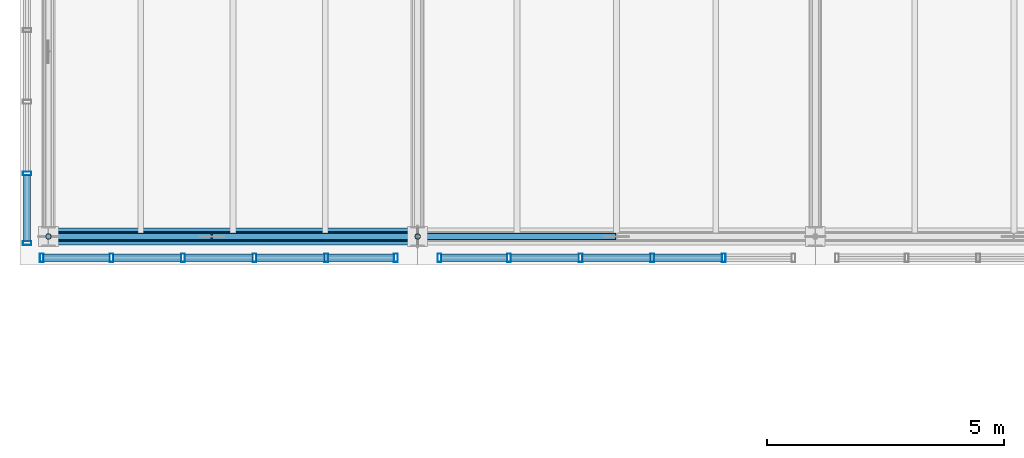
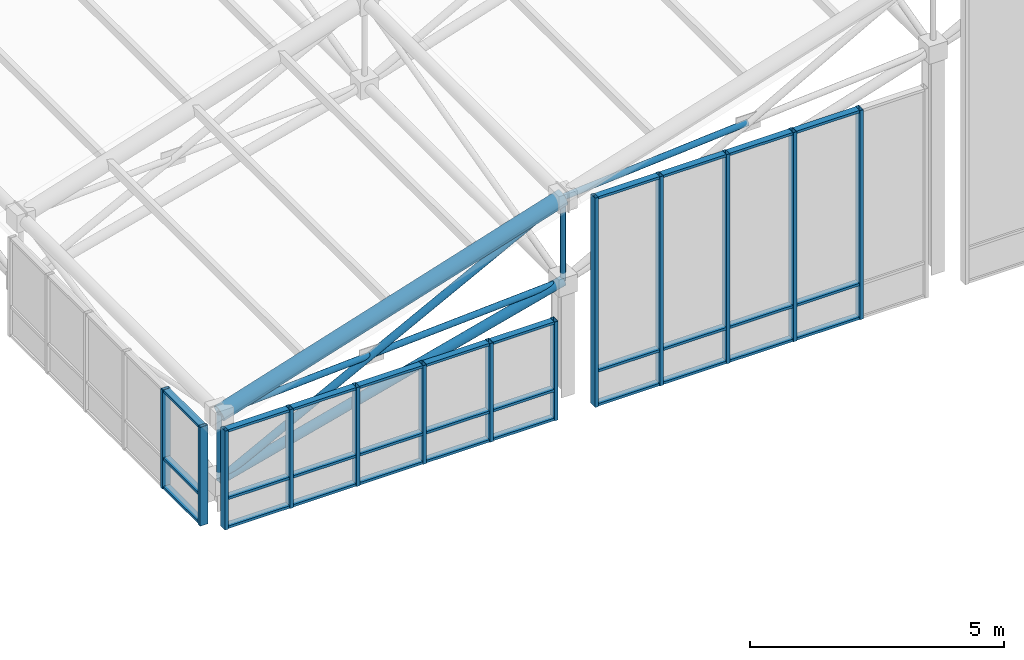
# One storey, part 16 of 144: 51 members, 3 elements without a shape of their own.
"""IFC4 building model written with IfcOpenShell, lengths in metres."""

import ifcopenshell
import ifcopenshell.guid

model = None  # the IFC model being written
_history = None  # IfcOwnerHistory: only IFC2X3 demands one
_inside = {}  # id of a spatial element -> (the spatial element, [elements in it])
_under = {}  # id of a project, library or spatial element -> (it, [spatial elements below it])
_declared = {}  # id of a project -> (the project, [libraries it declares])
_typed = {}  # id of a type object -> (the type object, [elements of that type])
_made_of = {}  # id of a material, layer set ... -> (it, [elements and type objects made of it])


def new_model(schema):
    """Start an empty IFC model of exactly this schema.

    Asked for "IFC4X3", IfcOpenShell would pick the latest addendum, in which some entities
    have other attributes; the version numbers below select the first issue.
    IFC2X3 requires an IfcOwnerHistory on every rooted entity: one is made here for all.
    """
    global model, _history
    if schema == "IFC4X3":
        model = ifcopenshell.file(schema_version=(4, 3, 0, 0))
    else:
        model = ifcopenshell.file(schema=schema)
    _inside.clear()
    _under.clear()
    _declared.clear()
    _typed.clear()
    _made_of.clear()
    _history = None
    if model.schema == "IFC2X3":
        org = make("IfcOrganization", Name="unknown")
        user = make(
            "IfcPersonAndOrganization",
            ThePerson=make("IfcPerson", FamilyName="unknown"),
            TheOrganization=org,
        )
        app = make(
            "IfcApplication",
            ApplicationDeveloper=org,
            Version="unknown",
            ApplicationFullName="unknown",
            ApplicationIdentifier="unknown",
        )
        _history = make(
            "IfcOwnerHistory",
            OwningUser=user,
            OwningApplication=app,
            ChangeAction="ADDED",
            CreationDate=0,
        )
    return model


def make(cls, **values):
    """One entity of the class cls with the attributes given. An attribute that is None is left unset."""
    return model.create_entity(
        cls, **{name: value for name, value in values.items() if value is not None}
    )


def rooted(cls, **values):
    """An entity with a GlobalId (a new one), such as an element, a storey or a relation."""
    return make(cls, GlobalId=ifcopenshell.guid.new(), OwnerHistory=_history, **values)


def si_unit(unit_type, name, prefix=None):
    """IfcSIUnit, for example si_unit("LENGTHUNIT", "METRE", prefix="MILLI")."""
    return make("IfcSIUnit", UnitType=unit_type, Prefix=prefix, Name=name)


def assignment(units):
    """IfcUnitAssignment: the units of a project."""
    return None if units is None else make("IfcUnitAssignment", Units=units)


def point(xyz):
    """IfcCartesianPoint."""
    return None if xyz is None else make("IfcCartesianPoint", Coordinates=xyz)


def direction(xyz):
    """IfcDirection."""
    return None if xyz is None else make("IfcDirection", DirectionRatios=xyz)


def frame(location, z_axis=None, x_axis=None):
    """IfcAxis2Placement3D, a coordinate frame: its origin and axes. An axis left out is left unset."""
    return make(
        "IfcAxis2Placement3D",
        Location=point(location),
        Axis=direction(z_axis),
        RefDirection=direction(x_axis),
    )


def frame_2d(location, x_axis=None):
    """IfcAxis2Placement2D, a coordinate frame in the plane: its origin and x axis."""
    return make(
        "IfcAxis2Placement2D", Location=point(location), RefDirection=direction(x_axis)
    )


def origin():
    """The frame at (0, 0, 0) with its axes left unset."""
    return frame((0.0, 0.0, 0.0))


def origin_2d():
    """The frame at (0, 0) in the plane with its x axis left unset."""
    return frame_2d((0.0, 0.0))


def place(relative_to, where):
    """IfcLocalPlacement: puts the frame where relative to a parent placement (None: the world)."""
    return make(
        "IfcLocalPlacement", PlacementRelTo=relative_to, RelativePlacement=where
    )


def context(
    kind, dimensions, precision=None, world=None, true_north=None, identifier=None
):
    """IfcGeometricRepresentationContext, for example the 3D "Model" context."""
    return make(
        "IfcGeometricRepresentationContext",
        ContextIdentifier=identifier,
        ContextType=kind,
        CoordinateSpaceDimension=dimensions,
        Precision=precision,
        WorldCoordinateSystem=world,
        TrueNorth=true_north,
    )


def subcontext(parent, identifier, kind, view, scale=None):
    """IfcGeometricRepresentationSubContext, for example "Body" below "Model"."""
    return make(
        "IfcGeometricRepresentationSubContext",
        ContextIdentifier=identifier,
        ContextType=kind,
        ParentContext=parent,
        TargetScale=scale,
        TargetView=view,
    )


def project(units=None, contexts=None):
    """IfcProject with its units and contexts."""
    return rooted(
        "IfcProject",
        Name="project",
        RepresentationContexts=contexts,
        UnitsInContext=assignment(units),
    )


def spatial(cls, under=None, at=None, **own):
    """A site, building, storey or space (cls), placed at a placement, below another one or the project."""
    s = rooted(cls, ObjectPlacement=at, **own)
    if under is not None:
        _under.setdefault(under.id(), (under, []))[1].append(s)
    return s


def profile(cls, at=None, kind="AREA", **sizes):
    """A parametric profile (cls). Its sizes go by their IFC names, for example OverallWidth=200.0."""
    return make(cls, ProfileType=kind, Position=at, **sizes)


def hollow_rectangle(**sizes):
    """IfcRectangleHollowProfileDef."""
    return profile("IfcRectangleHollowProfileDef", **sizes)


def hollow_circle(**sizes):
    """IfcCircleHollowProfileDef."""
    return profile("IfcCircleHollowProfileDef", **sizes)


def extrude(swept, where, along, depth):
    """IfcExtrudedAreaSolid: the profile swept, set in the frame where, extruded along a direction by depth."""
    return make(
        "IfcExtrudedAreaSolid",
        SweptArea=swept,
        Position=where,
        ExtrudedDirection=direction(along),
        Depth=depth,
    )


def shape(context_of_items, identifier, shape_type, items):
    """IfcShapeRepresentation: the items that make up one representation, for example the "Body"."""
    return make(
        "IfcShapeRepresentation",
        ContextOfItems=context_of_items,
        RepresentationIdentifier=identifier,
        RepresentationType=shape_type,
        Items=items,
    )


def material(Name=None, Category=None):
    """IfcMaterial."""
    return make("IfcMaterial", Name=Name, Category=Category)


def layer(
    of_material, thickness, ventilated=None, Name=None, Category=None, Priority=None
):
    """IfcMaterialLayer: one layer of a wall or slab, of a material (None: an air gap)."""
    return make(
        "IfcMaterialLayer",
        Material=of_material,
        LayerThickness=thickness,
        IsVentilated=ventilated,
        Name=Name,
        Category=Category,
        Priority=Priority,
    )


def layer_set(layers, Name=None):
    """IfcMaterialLayerSet."""
    return make("IfcMaterialLayerSet", MaterialLayers=layers, LayerSetName=Name)


def material_profile(
    of_material, cross_section, Name=None, Category=None, Priority=None
):
    """IfcMaterialProfile: a cross section and its material."""
    return make(
        "IfcMaterialProfile",
        Name=Name,
        Material=of_material,
        Profile=cross_section,
        Priority=Priority,
        Category=Category,
    )


def profile_set(profiles, Name=None, composite=None):
    """IfcMaterialProfileSet."""
    return make(
        "IfcMaterialProfileSet",
        Name=Name,
        MaterialProfiles=profiles,
        CompositeProfile=composite,
    )


def made_of(thing, what):
    """Note that an element or type object is made of a material, layer set ...; save() writes the relation."""
    if what is not None:
        _made_of.setdefault(what.id(), (what, []))[1].append(thing)
    return thing


def type_object(cls, material=None, **own):
    """A type object (cls), such as IfcWallType, which elements share."""
    return made_of(rooted(cls, **own), material)


def element(
    cls,
    number,
    at=None,
    inside=None,
    cuts=None,
    type_object=None,
    material=None,
    context=None,
    identifier="Body",
    shape_type=None,
    held_by="IfcProductDefinitionShape",
    body=None,
    shapes=None,
    **own,
):
    """One element of the class cls, such as IfcWall. Its Tag is "e" and its number.

    at: its placement. inside: the storey or other place that contains it. cuts: it is an
    opening in that element (IfcRelVoidsElement). A single representation is given by context,
    identifier, shape_type and body (its items); several are given by shapes. held_by: the class
    of the entity that holds the representations. save() writes the other relations.
    """
    e = rooted(cls, Tag="e%d" % number, ObjectPlacement=at, **own)
    if body is not None:
        shapes = [shape(context, identifier, shape_type, body)]
    if shapes is not None:
        e.Representation = make(held_by, Representations=shapes)
    if inside is not None:
        _inside.setdefault(inside.id(), (inside, []))[1].append(e)
    if cuts is not None:
        rooted(
            "IfcRelVoidsElement", RelatingBuildingElement=cuts, RelatedOpeningElement=e
        )
    if type_object is not None:
        _typed.setdefault(type_object.id(), (type_object, []))[1].append(e)
    return made_of(e, material)


def aggregate(whole, parts):
    """IfcRelAggregates: a whole, such as a stair, and the parts it consists of."""
    return rooted("IfcRelAggregates", RelatingObject=whole, RelatedObjects=parts)


def save(model, path):
    """Write the relations noted so far, then the file.

    IfcRelAggregates (storeys below a building ...), IfcRelContainedInSpatialStructure (elements
    in a storey), IfcRelDefinesByType, IfcRelAssociatesMaterial and IfcRelDeclares: one each for
    every whole, place, type object, material and project.
    """
    for whole, parts in _under.values():
        aggregate(whole, parts)
    for where, things in _inside.values():
        rooted(
            "IfcRelContainedInSpatialStructure",
            RelatedElements=things,
            RelatingStructure=where,
        )
    for kind, things in _typed.values():
        rooted("IfcRelDefinesByType", RelatedObjects=things, RelatingType=kind)
    for what, things in _made_of.values():
        rooted("IfcRelAssociatesMaterial", RelatedObjects=things, RelatingMaterial=what)
    for by, libraries in _declared.values():
        rooted("IfcRelDeclares", RelatingContext=by, RelatedDefinitions=libraries)
    model.write(path)


model = new_model("IFC4")

# Units and contexts
model_context = context("Model", 3, precision=1e-05, world=origin(), true_north=direction((0.0, 1.0)))
body_context = subcontext(model_context, "Body", "Model", "MODEL_VIEW")
ifc_project = project(units=[si_unit("LENGTHUNIT", "METRE"), si_unit("AREAUNIT", "SQUARE_METRE"), si_unit("VOLUMEUNIT", "CUBIC_METRE"), si_unit("PLANEANGLEUNIT", "RADIAN"), si_unit("MASSUNIT", "GRAM", prefix="KILO")], contexts=[model_context])

# Site, building, storey
site_placement = place(None, origin())
site = spatial("IfcSite", under=ifc_project, at=site_placement, CompositionType="ELEMENT")
building_placement = place(site_placement, origin())
building = spatial("IfcBuilding", under=site, at=building_placement, Name="Zayran Congress Hotel", CompositionType="ELEMENT")
storey_placement = place(building_placement, frame((0.0, 0.0, 19.199951171875)))
storey = spatial("IfcBuildingStorey", under=building, at=storey_placement, Name="L04", CompositionType="ELEMENT", Elevation=19.199951171875)

# Members
ifc_material_1 = material(Name="Steel S355", Category="steel")
ifc_material_profile_1 = material_profile(ifc_material_1, hollow_circle(Radius=0.177734375, WallThickness=0.01611328125, at=origin_2d()), Name="CHS 355.6x16")
ifc_profile_set_1 = profile_set([ifc_material_profile_1], Name="Steel S355")
member_type_1 = type_object("IfcMemberType", Name="TP-SF-TC1", PredefinedType="CHORD", material=ifc_profile_set_1)
member_1_placement = place(storey_placement, frame((9.0, 68.199951171875, 2.19140625), z_axis=(0.953669693314, 0.0, 0.300855639892), x_axis=(0.0, 1.0, 0.0)))
element("IfcMember", 1, at=member_1_placement, inside=storey, type_object=member_type_1, Name="Space Frame Top Chord X 1", PredefinedType="CHORD", context=body_context, shape_type="SweptSolid", body=[
    extrude(hollow_circle(Radius=0.177734375, WallThickness=0.01611328125, at=origin_2d()), origin(), (0.0, 0.0, 1.0), 8.178955078125),
])
ifc_material_profile_2 = material_profile(ifc_material_1, hollow_circle(Radius=0.109619140625, WallThickness=0.010009765625, at=origin_2d()), Name="CHS 219.1x10")
ifc_profile_set_2 = profile_set([ifc_material_profile_2], Name="Steel S355")
member_type_2 = type_object("IfcMemberType", Name="TP-SF-BC1", PredefinedType="CHORD", material=ifc_profile_set_2)
member_2_placement = place(storey_placement, frame((9.0, 68.199951171875, 0.60009765625), z_axis=(0.967153699015, 0.0, 0.254192294301), x_axis=(0.0, 1.0, 0.0)))
element("IfcMember", 2, at=member_2_placement, inside=storey, type_object=member_type_2, Name="Space Frame Bottom Chord X 2", PredefinedType="CHORD", context=body_context, shape_type="SweptSolid", body=[
    extrude(hollow_circle(Radius=0.109619140625, WallThickness=0.010009765625, at=origin_2d()), origin(), (0.0, 0.0, 1.0), 8.06494140625),
])
ifc_material_profile_3 = material_profile(ifc_material_1, hollow_circle(Radius=0.084228515625, WallThickness=0.008056640625, at=origin_2d()), Name="CHS 168.3x8")
ifc_profile_set_3 = profile_set([ifc_material_profile_3], Name="Steel S355")
member_type_3 = type_object("IfcMemberType", Name="TP-SF-DG1", PredefinedType="BRACE", material=ifc_profile_set_3)
member_3_placement = place(storey_placement, frame((9.0, 68.199951171875, 0.60009765625), z_axis=(0.887404091239, 0.0, 0.46099238481), x_axis=(0.0, 1.0, 0.0)))
element("IfcMember", 3, at=member_3_placement, inside=storey, type_object=member_type_3, Name="Space Frame Web Diagonal X 3", PredefinedType="BRACE", context=body_context, shape_type="SweptSolid", body=[
    extrude(hollow_circle(Radius=0.084228515625, WallThickness=0.008056640625, at=origin_2d()), origin(), (0.0, 0.0, 1.0), 8.789794921875),
])
ifc_material_profile_4 = material_profile(ifc_material_1, hollow_circle(Radius=0.06982421875, WallThickness=0.00634765625, at=origin_2d()), Name="CHS 139.7x6.3")
ifc_profile_set_4 = profile_set([ifc_material_profile_4], Name="Steel S355")
member_type_4 = type_object("IfcMemberType", Name="TP-SF-DG2", PredefinedType="BRACE", material=ifc_profile_set_4)
member_4_placement = place(storey_placement, frame((9.0, 68.199951171875, 2.19140625), z_axis=(0.998277060117, 0.0, 0.0586763261), x_axis=(0.0, 1.0, 0.0)))
element("IfcMember", 4, at=member_4_placement, inside=storey, type_object=member_type_4, Name="Space Frame Counter Diagonal X Upper 4", PredefinedType="BRACE", context=body_context, shape_type="SweptSolid", body=[
    extrude(hollow_circle(Radius=0.06982421875, WallThickness=0.00634765625, at=origin_2d()), origin(), (0.0, 0.0, 1.0), 3.445068359375),
])
member_5_placement = place(storey_placement, frame((12.46923828125, 68.199951171875, 2.395263671875), z_axis=(0.99827262625, 0.0, 0.058751712149), x_axis=(0.0, 1.0, 0.0)))
element("IfcMember", 5, at=member_5_placement, inside=storey, type_object=member_type_4, Name="Space Frame Counter Diagonal X Lower 1", PredefinedType="BRACE", context=body_context, shape_type="SweptSolid", body=[
    extrude(hollow_circle(Radius=0.06982421875, WallThickness=0.00634765625, at=origin_2d()), origin(), (0.0, 0.0, 1.0), 4.33837890625),
])
member_6_placement = place(storey_placement, frame((16.800048828125, 68.199951171875, 4.652099609375), z_axis=(0.997039412202, 0.0, 0.076892200614), x_axis=(0.0, 1.0, 0.0)))
element("IfcMember", 6, at=member_6_placement, inside=storey, type_object=member_type_4, Name="Space Frame Counter Diagonal X Upper 63", PredefinedType="BRACE", context=body_context, shape_type="SweptSolid", body=[
    extrude(hollow_circle(Radius=0.06982421875, WallThickness=0.00634765625, at=origin_2d()), origin(), (0.0, 0.0, 1.0), 4.197509765625),
])
ifc_material_profile_5 = material_profile(ifc_material_1, hollow_circle(Radius=0.05712890625, WallThickness=0.00634765625, at=origin_2d()), Name="CHS 114.3x6.3")
ifc_profile_set_5 = profile_set([ifc_material_profile_5], Name="Steel S355")
member_type_5 = type_object("IfcMemberType", Name="TP-SF-DG3", PredefinedType="BRACE", material=ifc_profile_set_5)
member_7_placement = place(storey_placement, frame((9.0, 68.199951171875, 0.60009765625), z_axis=(0.0, 0.0, 1.0), x_axis=(0.0, 1.0, 0.0)))
element("IfcMember", 7, at=member_7_placement, inside=storey, type_object=member_type_5, Name="Space Frame Web Strut 9", PredefinedType="BRACE", context=body_context, shape_type="SweptSolid", body=[
    extrude(hollow_circle(Radius=0.05712890625, WallThickness=0.00634765625, at=origin_2d()), origin(), (0.0, 0.0, 1.0), 1.59130859375),
])
member_8_placement = place(storey_placement, frame((16.800048828125, 68.199951171875, 2.650146484375), z_axis=(0.0, 0.0, 1.0), x_axis=(0.0, 1.0, 0.0)))
element("IfcMember", 8, at=member_8_placement, inside=storey, type_object=member_type_5, Name="Space Frame Web Strut 67", PredefinedType="BRACE", context=body_context, shape_type="SweptSolid", body=[
    extrude(hollow_circle(Radius=0.05712890625, WallThickness=0.00634765625, at=origin_2d()), origin(), (0.0, 0.0, 1.0), 2.001953125),
])

# Curtain wall, members
ifc_material_2 = material(Name="Anodised aluminium and low-E insulated glass", Category="aluminium")
ifc_layer_1 = layer(ifc_material_2, 0.179931640625)
ifc_layer_set_1 = layer_set([ifc_layer_1], Name="Anodised aluminium and low-E insulated glass")
curtain_wall_type_1 = type_object("IfcCurtainWallType", Name="CW-V1CL-L04-CW-31-7560-2370", PredefinedType="USERDEFINED", material=ifc_layer_set_1)
curtain_wall_1_placement = place(storey_placement, origin())
curtain_wall_1 = element("IfcCurtainWall", 9, at=curtain_wall_1_placement, inside=storey, type_object=curtain_wall_type_1, Name="CW-V1CLW-0", ObjectType="CURTAIN WALL", PredefinedType="USERDEFINED")
ifc_material_3 = material(Name="Anodised aluminium framing", Category="aluminium")
ifc_material_profile_6 = material_profile(ifc_material_3, hollow_rectangle(XDim=0.080078125, YDim=0.179931640625, WallThickness=0.0048828125, at=origin_2d()), Name="RHS 180x80x5")
ifc_profile_set_6 = profile_set([ifc_material_profile_6], Name="Anodised aluminium framing")
member_type_6 = type_object("IfcMemberType", Name="TP-CWM-01", PredefinedType="MULLION", material=ifc_profile_set_6)
member_9_placement = place(storey_placement, frame((8.550048828125, 69.531982421875, -0.219970703125), z_axis=(0.0, 0.0, 1.0), x_axis=(0.0, 1.0, 0.0)))
member_9 = element("IfcMember", 10, at=member_9_placement, type_object=member_type_6, Name="CW-V1CLW-0-M04", PredefinedType="MULLION", context=body_context, shape_type="SweptSolid", body=[
    extrude(hollow_rectangle(XDim=0.080078125, YDim=0.179931640625, WallThickness=0.0048828125, at=origin_2d()), origin(), (0.0, 0.0, 1.0), 2.3701171875),
])
member_10_placement = place(storey_placement, frame((8.550048828125, 68.06005859375, -0.219970703125), z_axis=(0.0, 0.0, 1.0), x_axis=(0.0, 1.0, 0.0)))
member_10 = element("IfcMember", 11, at=member_10_placement, type_object=member_type_6, Name="CW-V1CLW-0-M05", PredefinedType="MULLION", context=body_context, shape_type="SweptSolid", body=[
    extrude(hollow_rectangle(XDim=0.080078125, YDim=0.179931640625, WallThickness=0.0048828125, at=origin_2d()), origin(), (0.0, 0.0, 1.0), 2.3701171875),
])

ifc_layer_2 = layer(ifc_material_2, 0.179931640625)
ifc_layer_set_2 = layer_set([ifc_layer_2], Name="Anodised aluminium and low-E insulated glass")
curtain_wall_type_2 = type_object("IfcCurtainWallType", Name="CW-V1CL-L04-CW-11-7560-2370", PredefinedType="USERDEFINED", material=ifc_layer_set_2)
curtain_wall_2_placement = place(storey_placement, origin())
curtain_wall_2 = element("IfcCurtainWall", 12, at=curtain_wall_2_placement, inside=storey, type_object=curtain_wall_type_2, Name="CW-V1CLS-0", ObjectType="CURTAIN WALL", PredefinedType="USERDEFINED")
member_11_placement = place(storey_placement, frame((8.860107421875, 67.75, -0.219970703125), z_axis=(0.0, 0.0, 1.0), x_axis=(1.0, 0.0, 0.0)))
member_11 = element("IfcMember", 13, at=member_11_placement, type_object=member_type_6, Name="CW-V1CLS-0-M00", PredefinedType="MULLION", context=body_context, shape_type="SweptSolid", body=[
    extrude(hollow_rectangle(XDim=0.080078125, YDim=0.179931640625, WallThickness=0.0048828125, at=origin_2d()), origin(), (0.0, 0.0, 1.0), 2.3701171875),
])
member_12_placement = place(storey_placement, frame((10.33203125, 67.75, -0.219970703125), z_axis=(0.0, 0.0, 1.0), x_axis=(1.0, 0.0, 0.0)))
member_12 = element("IfcMember", 14, at=member_12_placement, type_object=member_type_6, Name="CW-V1CLS-0-M01", PredefinedType="MULLION", context=body_context, shape_type="SweptSolid", body=[
    extrude(hollow_rectangle(XDim=0.080078125, YDim=0.179931640625, WallThickness=0.0048828125, at=origin_2d()), origin(), (0.0, 0.0, 1.0), 2.3701171875),
])
member_13_placement = place(storey_placement, frame((11.843994140625, 67.75, -0.219970703125), z_axis=(0.0, 0.0, 1.0), x_axis=(1.0, 0.0, 0.0)))
member_13 = element("IfcMember", 15, at=member_13_placement, type_object=member_type_6, Name="CW-V1CLS-0-M02", PredefinedType="MULLION", context=body_context, shape_type="SweptSolid", body=[
    extrude(hollow_rectangle(XDim=0.080078125, YDim=0.179931640625, WallThickness=0.0048828125, at=origin_2d()), origin(), (0.0, 0.0, 1.0), 2.3701171875),
])
member_14_placement = place(storey_placement, frame((13.35595703125, 67.75, -0.219970703125), z_axis=(0.0, 0.0, 1.0), x_axis=(1.0, 0.0, 0.0)))
member_14 = element("IfcMember", 16, at=member_14_placement, type_object=member_type_6, Name="CW-V1CLS-0-M03", PredefinedType="MULLION", context=body_context, shape_type="SweptSolid", body=[
    extrude(hollow_rectangle(XDim=0.080078125, YDim=0.179931640625, WallThickness=0.0048828125, at=origin_2d()), origin(), (0.0, 0.0, 1.0), 2.3701171875),
])
member_15_placement = place(storey_placement, frame((14.867919921875, 67.75, -0.219970703125), z_axis=(0.0, 0.0, 1.0), x_axis=(1.0, 0.0, 0.0)))
member_15 = element("IfcMember", 17, at=member_15_placement, type_object=member_type_6, Name="CW-V1CLS-0-M04", PredefinedType="MULLION", context=body_context, shape_type="SweptSolid", body=[
    extrude(hollow_rectangle(XDim=0.080078125, YDim=0.179931640625, WallThickness=0.0048828125, at=origin_2d()), origin(), (0.0, 0.0, 1.0), 2.3701171875),
])
member_16_placement = place(storey_placement, frame((16.340087890625, 67.75, -0.219970703125), z_axis=(0.0, 0.0, 1.0), x_axis=(1.0, 0.0, 0.0)))
member_16 = element("IfcMember", 18, at=member_16_placement, type_object=member_type_6, Name="CW-V1CLS-0-M05", PredefinedType="MULLION", context=body_context, shape_type="SweptSolid", body=[
    extrude(hollow_rectangle(XDim=0.080078125, YDim=0.179931640625, WallThickness=0.0048828125, at=origin_2d()), origin(), (0.0, 0.0, 1.0), 2.3701171875),
])

ifc_layer_3 = layer(ifc_material_2, 0.179931640625)
ifc_layer_set_3 = layer_set([ifc_layer_3], Name="Anodised aluminium and low-E insulated glass")
curtain_wall_type_3 = type_object("IfcCurtainWallType", Name="CW-V1CL-L04-CW-12-7560-5020", PredefinedType="USERDEFINED", material=ifc_layer_set_3)
curtain_wall_3_placement = place(storey_placement, origin())
curtain_wall_3 = element("IfcCurtainWall", 19, at=curtain_wall_3_placement, inside=storey, type_object=curtain_wall_type_3, Name="CW-V1CLS-1", ObjectType="CURTAIN WALL", PredefinedType="USERDEFINED")
member_17_placement = place(storey_placement, frame((17.260009765625, 67.75, -0.219970703125), z_axis=(0.0, 0.0, 1.0), x_axis=(1.0, 0.0, 0.0)))
member_17 = element("IfcMember", 20, at=member_17_placement, type_object=member_type_6, Name="CW-V1CLS-1-M00", PredefinedType="MULLION", context=body_context, shape_type="SweptSolid", body=[
    extrude(hollow_rectangle(XDim=0.080078125, YDim=0.179931640625, WallThickness=0.0048828125, at=origin_2d()), origin(), (0.0, 0.0, 1.0), 5.02001953125),
])
member_18_placement = place(storey_placement, frame((18.73193359375, 67.75, -0.219970703125), z_axis=(0.0, 0.0, 1.0), x_axis=(1.0, 0.0, 0.0)))
member_18 = element("IfcMember", 21, at=member_18_placement, type_object=member_type_6, Name="CW-V1CLS-1-M01", PredefinedType="MULLION", context=body_context, shape_type="SweptSolid", body=[
    extrude(hollow_rectangle(XDim=0.080078125, YDim=0.179931640625, WallThickness=0.0048828125, at=origin_2d()), origin(), (0.0, 0.0, 1.0), 5.02001953125),
])
member_19_placement = place(storey_placement, frame((20.243896484375, 67.75, -0.219970703125), z_axis=(0.0, 0.0, 1.0), x_axis=(1.0, 0.0, 0.0)))
member_19 = element("IfcMember", 22, at=member_19_placement, type_object=member_type_6, Name="CW-V1CLS-1-M02", PredefinedType="MULLION", context=body_context, shape_type="SweptSolid", body=[
    extrude(hollow_rectangle(XDim=0.080078125, YDim=0.179931640625, WallThickness=0.0048828125, at=origin_2d()), origin(), (0.0, 0.0, 1.0), 5.02001953125),
])
member_20_placement = place(storey_placement, frame((21.756103515625, 67.75, -0.219970703125), z_axis=(0.0, 0.0, 1.0), x_axis=(1.0, 0.0, 0.0)))
member_20 = element("IfcMember", 23, at=member_20_placement, type_object=member_type_6, Name="CW-V1CLS-1-M03", PredefinedType="MULLION", context=body_context, shape_type="SweptSolid", body=[
    extrude(hollow_rectangle(XDim=0.080078125, YDim=0.179931640625, WallThickness=0.0048828125, at=origin_2d()), origin(), (0.0, 0.0, 1.0), 5.02001953125),
])
member_21_placement = place(storey_placement, frame((23.26806640625, 67.75, -0.219970703125), z_axis=(0.0, 0.0, 1.0), x_axis=(1.0, 0.0, 0.0)))
member_21 = element("IfcMember", 24, at=member_21_placement, type_object=member_type_6, Name="CW-V1CLS-1-M04", PredefinedType="MULLION", context=body_context, shape_type="SweptSolid", body=[
    extrude(hollow_rectangle(XDim=0.080078125, YDim=0.179931640625, WallThickness=0.0048828125, at=origin_2d()), origin(), (0.0, 0.0, 1.0), 5.02001953125),
])

# Member
ifc_material_profile_7 = material_profile(ifc_material_3, hollow_rectangle(XDim=0.06005859375, YDim=0.14990234375, WallThickness=0.00390625, at=origin_2d()), Name="RHS 150x60x4")
ifc_profile_set_7 = profile_set([ifc_material_profile_7], Name="Anodised aluminium framing")
member_type_7 = type_object("IfcMemberType", Name="TP-CWT-01", PredefinedType="USERDEFINED", material=ifc_profile_set_7)
member_22_placement = place(storey_placement, frame((8.550048828125, 69.491943359375, -0.18994140625), z_axis=(0.0, -1.0, 0.0), x_axis=(0.0, 0.0, 1.0)))
member_22 = element("IfcMember", 25, at=member_22_placement, type_object=member_type_7, Name="CW-V1CLW-0-T04-0", ObjectType="TRANSOM", PredefinedType="USERDEFINED", context=body_context, shape_type="SweptSolid", body=[
    extrude(hollow_rectangle(XDim=0.06005859375, YDim=0.14990234375, WallThickness=0.00390625, at=origin_2d()), origin(), (0.0, 0.0, 1.0), 1.391845703125),
])

member_23_placement = place(storey_placement, frame((8.550048828125, 69.491943359375, 0.5), z_axis=(0.0, -1.0, 0.0), x_axis=(0.0, 0.0, 1.0)))
member_23 = element("IfcMember", 26, at=member_23_placement, type_object=member_type_7, Name="CW-V1CLW-0-T04-1", ObjectType="TRANSOM", PredefinedType="USERDEFINED", context=body_context, shape_type="SweptSolid", body=[
    extrude(hollow_rectangle(XDim=0.06005859375, YDim=0.14990234375, WallThickness=0.00390625, at=origin_2d()), origin(), (0.0, 0.0, 1.0), 1.391845703125),
])

member_24_placement = place(storey_placement, frame((8.550048828125, 69.491943359375, 2.1201171875), z_axis=(0.0, -1.0, 0.0), x_axis=(0.0, 0.0, 1.0)))
member_24 = element("IfcMember", 27, at=member_24_placement, type_object=member_type_7, Name="CW-V1CLW-0-T04-2", ObjectType="TRANSOM", PredefinedType="USERDEFINED", context=body_context, shape_type="SweptSolid", body=[
    extrude(hollow_rectangle(XDim=0.06005859375, YDim=0.14990234375, WallThickness=0.00390625, at=origin_2d()), origin(), (0.0, 0.0, 1.0), 1.391845703125),
])

aggregate(curtain_wall_1, [member_9, member_10, member_22, member_23, member_24])

member_25_placement = place(storey_placement, frame((8.89990234375, 67.75, -0.18994140625), z_axis=(1.0, 0.0, 0.0), x_axis=(0.0, 0.0, 1.0)))
member_25 = element("IfcMember", 28, at=member_25_placement, type_object=member_type_7, Name="CW-V1CLS-0-T00-0", ObjectType="TRANSOM", PredefinedType="USERDEFINED", context=body_context, shape_type="SweptSolid", body=[
    extrude(hollow_rectangle(XDim=0.06005859375, YDim=0.14990234375, WallThickness=0.00390625, at=origin_2d()), origin(), (0.0, 0.0, 1.0), 1.39208984375),
])

member_26_placement = place(storey_placement, frame((8.89990234375, 67.75, 0.5), z_axis=(1.0, 0.0, 0.0), x_axis=(0.0, 0.0, 1.0)))
member_26 = element("IfcMember", 29, at=member_26_placement, type_object=member_type_7, Name="CW-V1CLS-0-T00-1", ObjectType="TRANSOM", PredefinedType="USERDEFINED", context=body_context, shape_type="SweptSolid", body=[
    extrude(hollow_rectangle(XDim=0.06005859375, YDim=0.14990234375, WallThickness=0.00390625, at=origin_2d()), origin(), (0.0, 0.0, 1.0), 1.39208984375),
])

member_27_placement = place(storey_placement, frame((8.89990234375, 67.75, 2.1201171875), z_axis=(1.0, 0.0, 0.0), x_axis=(0.0, 0.0, 1.0)))
member_27 = element("IfcMember", 30, at=member_27_placement, type_object=member_type_7, Name="CW-V1CLS-0-T00-2", ObjectType="TRANSOM", PredefinedType="USERDEFINED", context=body_context, shape_type="SweptSolid", body=[
    extrude(hollow_rectangle(XDim=0.06005859375, YDim=0.14990234375, WallThickness=0.00390625, at=origin_2d()), origin(), (0.0, 0.0, 1.0), 1.39208984375),
])

member_28_placement = place(storey_placement, frame((10.3720703125, 67.75, -0.18994140625), z_axis=(1.0, 0.0, 0.0), x_axis=(0.0, 0.0, 1.0)))
member_28 = element("IfcMember", 31, at=member_28_placement, type_object=member_type_7, Name="CW-V1CLS-0-T01-0", ObjectType="TRANSOM", PredefinedType="USERDEFINED", context=body_context, shape_type="SweptSolid", body=[
    extrude(hollow_rectangle(XDim=0.06005859375, YDim=0.14990234375, WallThickness=0.00390625, at=origin_2d()), origin(), (0.0, 0.0, 1.0), 1.431884765625),
])

member_29_placement = place(storey_placement, frame((10.3720703125, 67.75, 0.5), z_axis=(1.0, 0.0, 0.0), x_axis=(0.0, 0.0, 1.0)))
member_29 = element("IfcMember", 32, at=member_29_placement, type_object=member_type_7, Name="CW-V1CLS-0-T01-1", ObjectType="TRANSOM", PredefinedType="USERDEFINED", context=body_context, shape_type="SweptSolid", body=[
    extrude(hollow_rectangle(XDim=0.06005859375, YDim=0.14990234375, WallThickness=0.00390625, at=origin_2d()), origin(), (0.0, 0.0, 1.0), 1.431884765625),
])

member_30_placement = place(storey_placement, frame((10.3720703125, 67.75, 2.1201171875), z_axis=(1.0, 0.0, 0.0), x_axis=(0.0, 0.0, 1.0)))
member_30 = element("IfcMember", 33, at=member_30_placement, type_object=member_type_7, Name="CW-V1CLS-0-T01-2", ObjectType="TRANSOM", PredefinedType="USERDEFINED", context=body_context, shape_type="SweptSolid", body=[
    extrude(hollow_rectangle(XDim=0.06005859375, YDim=0.14990234375, WallThickness=0.00390625, at=origin_2d()), origin(), (0.0, 0.0, 1.0), 1.431884765625),
])

member_31_placement = place(storey_placement, frame((11.884033203125, 67.75, -0.18994140625), z_axis=(1.0, 0.0, 0.0), x_axis=(0.0, 0.0, 1.0)))
member_31 = element("IfcMember", 34, at=member_31_placement, type_object=member_type_7, Name="CW-V1CLS-0-T02-0", ObjectType="TRANSOM", PredefinedType="USERDEFINED", context=body_context, shape_type="SweptSolid", body=[
    extrude(hollow_rectangle(XDim=0.06005859375, YDim=0.14990234375, WallThickness=0.00390625, at=origin_2d()), origin(), (0.0, 0.0, 1.0), 1.431884765625),
])

member_32_placement = place(storey_placement, frame((11.884033203125, 67.75, 0.5), z_axis=(1.0, 0.0, 0.0), x_axis=(0.0, 0.0, 1.0)))
member_32 = element("IfcMember", 35, at=member_32_placement, type_object=member_type_7, Name="CW-V1CLS-0-T02-1", ObjectType="TRANSOM", PredefinedType="USERDEFINED", context=body_context, shape_type="SweptSolid", body=[
    extrude(hollow_rectangle(XDim=0.06005859375, YDim=0.14990234375, WallThickness=0.00390625, at=origin_2d()), origin(), (0.0, 0.0, 1.0), 1.431884765625),
])

member_33_placement = place(storey_placement, frame((11.884033203125, 67.75, 2.1201171875), z_axis=(1.0, 0.0, 0.0), x_axis=(0.0, 0.0, 1.0)))
member_33 = element("IfcMember", 36, at=member_33_placement, type_object=member_type_7, Name="CW-V1CLS-0-T02-2", ObjectType="TRANSOM", PredefinedType="USERDEFINED", context=body_context, shape_type="SweptSolid", body=[
    extrude(hollow_rectangle(XDim=0.06005859375, YDim=0.14990234375, WallThickness=0.00390625, at=origin_2d()), origin(), (0.0, 0.0, 1.0), 1.431884765625),
])

member_34_placement = place(storey_placement, frame((13.39599609375, 67.75, -0.18994140625), z_axis=(1.0, 0.0, 0.0), x_axis=(0.0, 0.0, 1.0)))
member_34 = element("IfcMember", 37, at=member_34_placement, type_object=member_type_7, Name="CW-V1CLS-0-T03-0", ObjectType="TRANSOM", PredefinedType="USERDEFINED", context=body_context, shape_type="SweptSolid", body=[
    extrude(hollow_rectangle(XDim=0.06005859375, YDim=0.14990234375, WallThickness=0.00390625, at=origin_2d()), origin(), (0.0, 0.0, 1.0), 1.431884765625),
])

member_35_placement = place(storey_placement, frame((13.39599609375, 67.75, 0.5), z_axis=(1.0, 0.0, 0.0), x_axis=(0.0, 0.0, 1.0)))
member_35 = element("IfcMember", 38, at=member_35_placement, type_object=member_type_7, Name="CW-V1CLS-0-T03-1", ObjectType="TRANSOM", PredefinedType="USERDEFINED", context=body_context, shape_type="SweptSolid", body=[
    extrude(hollow_rectangle(XDim=0.06005859375, YDim=0.14990234375, WallThickness=0.00390625, at=origin_2d()), origin(), (0.0, 0.0, 1.0), 1.431884765625),
])

member_36_placement = place(storey_placement, frame((13.39599609375, 67.75, 2.1201171875), z_axis=(1.0, 0.0, 0.0), x_axis=(0.0, 0.0, 1.0)))
member_36 = element("IfcMember", 39, at=member_36_placement, type_object=member_type_7, Name="CW-V1CLS-0-T03-2", ObjectType="TRANSOM", PredefinedType="USERDEFINED", context=body_context, shape_type="SweptSolid", body=[
    extrude(hollow_rectangle(XDim=0.06005859375, YDim=0.14990234375, WallThickness=0.00390625, at=origin_2d()), origin(), (0.0, 0.0, 1.0), 1.431884765625),
])

member_37_placement = place(storey_placement, frame((14.907958984375, 67.75, -0.18994140625), z_axis=(1.0, 0.0, 0.0), x_axis=(0.0, 0.0, 1.0)))
member_37 = element("IfcMember", 40, at=member_37_placement, type_object=member_type_7, Name="CW-V1CLS-0-T04-0", ObjectType="TRANSOM", PredefinedType="USERDEFINED", context=body_context, shape_type="SweptSolid", body=[
    extrude(hollow_rectangle(XDim=0.06005859375, YDim=0.14990234375, WallThickness=0.00390625, at=origin_2d()), origin(), (0.0, 0.0, 1.0), 1.39208984375),
])

member_38_placement = place(storey_placement, frame((14.907958984375, 67.75, 0.5), z_axis=(1.0, 0.0, 0.0), x_axis=(0.0, 0.0, 1.0)))
member_38 = element("IfcMember", 41, at=member_38_placement, type_object=member_type_7, Name="CW-V1CLS-0-T04-1", ObjectType="TRANSOM", PredefinedType="USERDEFINED", context=body_context, shape_type="SweptSolid", body=[
    extrude(hollow_rectangle(XDim=0.06005859375, YDim=0.14990234375, WallThickness=0.00390625, at=origin_2d()), origin(), (0.0, 0.0, 1.0), 1.39208984375),
])

member_39_placement = place(storey_placement, frame((14.907958984375, 67.75, 2.1201171875), z_axis=(1.0, 0.0, 0.0), x_axis=(0.0, 0.0, 1.0)))
member_39 = element("IfcMember", 42, at=member_39_placement, type_object=member_type_7, Name="CW-V1CLS-0-T04-2", ObjectType="TRANSOM", PredefinedType="USERDEFINED", context=body_context, shape_type="SweptSolid", body=[
    extrude(hollow_rectangle(XDim=0.06005859375, YDim=0.14990234375, WallThickness=0.00390625, at=origin_2d()), origin(), (0.0, 0.0, 1.0), 1.39208984375),
])

aggregate(curtain_wall_2, [member_11, member_12, member_13, member_14, member_15, member_16, member_25, member_26, member_27, member_28, member_29, member_30, member_31, member_32, member_33, member_34, member_35, member_36, member_37, member_38, member_39])

member_40_placement = place(storey_placement, frame((17.300048828125, 67.75, -0.18994140625), z_axis=(1.0, 0.0, 0.0), x_axis=(0.0, 0.0, 1.0)))
member_40 = element("IfcMember", 43, at=member_40_placement, type_object=member_type_7, Name="CW-V1CLS-1-T00-0", ObjectType="TRANSOM", PredefinedType="USERDEFINED", context=body_context, shape_type="SweptSolid", body=[
    extrude(hollow_rectangle(XDim=0.06005859375, YDim=0.14990234375, WallThickness=0.00390625, at=origin_2d()), origin(), (0.0, 0.0, 1.0), 1.391845703125),
])

member_41_placement = place(storey_placement, frame((17.300048828125, 67.75, 0.6201171875), z_axis=(1.0, 0.0, 0.0), x_axis=(0.0, 0.0, 1.0)))
member_41 = element("IfcMember", 44, at=member_41_placement, type_object=member_type_7, Name="CW-V1CLS-1-T00-1", ObjectType="TRANSOM", PredefinedType="USERDEFINED", context=body_context, shape_type="SweptSolid", body=[
    extrude(hollow_rectangle(XDim=0.06005859375, YDim=0.14990234375, WallThickness=0.00390625, at=origin_2d()), origin(), (0.0, 0.0, 1.0), 1.391845703125),
])

member_42_placement = place(storey_placement, frame((17.300048828125, 67.75, 4.77001953125), z_axis=(1.0, 0.0, 0.0), x_axis=(0.0, 0.0, 1.0)))
member_42 = element("IfcMember", 45, at=member_42_placement, type_object=member_type_7, Name="CW-V1CLS-1-T00-2", ObjectType="TRANSOM", PredefinedType="USERDEFINED", context=body_context, shape_type="SweptSolid", body=[
    extrude(hollow_rectangle(XDim=0.06005859375, YDim=0.14990234375, WallThickness=0.00390625, at=origin_2d()), origin(), (0.0, 0.0, 1.0), 1.391845703125),
])

member_43_placement = place(storey_placement, frame((18.77197265625, 67.75, -0.18994140625), z_axis=(1.0, 0.0, 0.0), x_axis=(0.0, 0.0, 1.0)))
member_43 = element("IfcMember", 46, at=member_43_placement, type_object=member_type_7, Name="CW-V1CLS-1-T01-0", ObjectType="TRANSOM", PredefinedType="USERDEFINED", context=body_context, shape_type="SweptSolid", body=[
    extrude(hollow_rectangle(XDim=0.06005859375, YDim=0.14990234375, WallThickness=0.00390625, at=origin_2d()), origin(), (0.0, 0.0, 1.0), 1.43212890625),
])

member_44_placement = place(storey_placement, frame((18.77197265625, 67.75, 0.6201171875), z_axis=(1.0, 0.0, 0.0), x_axis=(0.0, 0.0, 1.0)))
member_44 = element("IfcMember", 47, at=member_44_placement, type_object=member_type_7, Name="CW-V1CLS-1-T01-1", ObjectType="TRANSOM", PredefinedType="USERDEFINED", context=body_context, shape_type="SweptSolid", body=[
    extrude(hollow_rectangle(XDim=0.06005859375, YDim=0.14990234375, WallThickness=0.00390625, at=origin_2d()), origin(), (0.0, 0.0, 1.0), 1.43212890625),
])

member_45_placement = place(storey_placement, frame((18.77197265625, 67.75, 4.77001953125), z_axis=(1.0, 0.0, 0.0), x_axis=(0.0, 0.0, 1.0)))
member_45 = element("IfcMember", 48, at=member_45_placement, type_object=member_type_7, Name="CW-V1CLS-1-T01-2", ObjectType="TRANSOM", PredefinedType="USERDEFINED", context=body_context, shape_type="SweptSolid", body=[
    extrude(hollow_rectangle(XDim=0.06005859375, YDim=0.14990234375, WallThickness=0.00390625, at=origin_2d()), origin(), (0.0, 0.0, 1.0), 1.43212890625),
])

member_46_placement = place(storey_placement, frame((20.283935546875, 67.75, -0.18994140625), z_axis=(1.0, 0.0, 0.0), x_axis=(0.0, 0.0, 1.0)))
member_46 = element("IfcMember", 49, at=member_46_placement, type_object=member_type_7, Name="CW-V1CLS-1-T02-0", ObjectType="TRANSOM", PredefinedType="USERDEFINED", context=body_context, shape_type="SweptSolid", body=[
    extrude(hollow_rectangle(XDim=0.06005859375, YDim=0.14990234375, WallThickness=0.00390625, at=origin_2d()), origin(), (0.0, 0.0, 1.0), 1.43212890625),
])

member_47_placement = place(storey_placement, frame((20.283935546875, 67.75, 0.6201171875), z_axis=(1.0, 0.0, 0.0), x_axis=(0.0, 0.0, 1.0)))
member_47 = element("IfcMember", 50, at=member_47_placement, type_object=member_type_7, Name="CW-V1CLS-1-T02-1", ObjectType="TRANSOM", PredefinedType="USERDEFINED", context=body_context, shape_type="SweptSolid", body=[
    extrude(hollow_rectangle(XDim=0.06005859375, YDim=0.14990234375, WallThickness=0.00390625, at=origin_2d()), origin(), (0.0, 0.0, 1.0), 1.43212890625),
])

member_48_placement = place(storey_placement, frame((20.283935546875, 67.75, 4.77001953125), z_axis=(1.0, 0.0, 0.0), x_axis=(0.0, 0.0, 1.0)))
member_48 = element("IfcMember", 51, at=member_48_placement, type_object=member_type_7, Name="CW-V1CLS-1-T02-2", ObjectType="TRANSOM", PredefinedType="USERDEFINED", context=body_context, shape_type="SweptSolid", body=[
    extrude(hollow_rectangle(XDim=0.06005859375, YDim=0.14990234375, WallThickness=0.00390625, at=origin_2d()), origin(), (0.0, 0.0, 1.0), 1.43212890625),
])

member_49_placement = place(storey_placement, frame((21.7958984375, 67.75, -0.18994140625), z_axis=(1.0, 0.0, 0.0), x_axis=(0.0, 0.0, 1.0)))
member_49 = element("IfcMember", 52, at=member_49_placement, type_object=member_type_7, Name="CW-V1CLS-1-T03-0", ObjectType="TRANSOM", PredefinedType="USERDEFINED", context=body_context, shape_type="SweptSolid", body=[
    extrude(hollow_rectangle(XDim=0.06005859375, YDim=0.14990234375, WallThickness=0.00390625, at=origin_2d()), origin(), (0.0, 0.0, 1.0), 1.43212890625),
])

member_50_placement = place(storey_placement, frame((21.7958984375, 67.75, 0.6201171875), z_axis=(1.0, 0.0, 0.0), x_axis=(0.0, 0.0, 1.0)))
member_50 = element("IfcMember", 53, at=member_50_placement, type_object=member_type_7, Name="CW-V1CLS-1-T03-1", ObjectType="TRANSOM", PredefinedType="USERDEFINED", context=body_context, shape_type="SweptSolid", body=[
    extrude(hollow_rectangle(XDim=0.06005859375, YDim=0.14990234375, WallThickness=0.00390625, at=origin_2d()), origin(), (0.0, 0.0, 1.0), 1.43212890625),
])

member_51_placement = place(storey_placement, frame((21.7958984375, 67.75, 4.77001953125), z_axis=(1.0, 0.0, 0.0), x_axis=(0.0, 0.0, 1.0)))
member_51 = element("IfcMember", 54, at=member_51_placement, type_object=member_type_7, Name="CW-V1CLS-1-T03-2", ObjectType="TRANSOM", PredefinedType="USERDEFINED", context=body_context, shape_type="SweptSolid", body=[
    extrude(hollow_rectangle(XDim=0.06005859375, YDim=0.14990234375, WallThickness=0.00390625, at=origin_2d()), origin(), (0.0, 0.0, 1.0), 1.43212890625),
])

aggregate(curtain_wall_3, [member_17, member_18, member_19, member_20, member_21, member_40, member_41, member_42, member_43, member_44, member_45, member_46, member_47, member_48, member_49, member_50, member_51])

save(model, "model.ifc")
